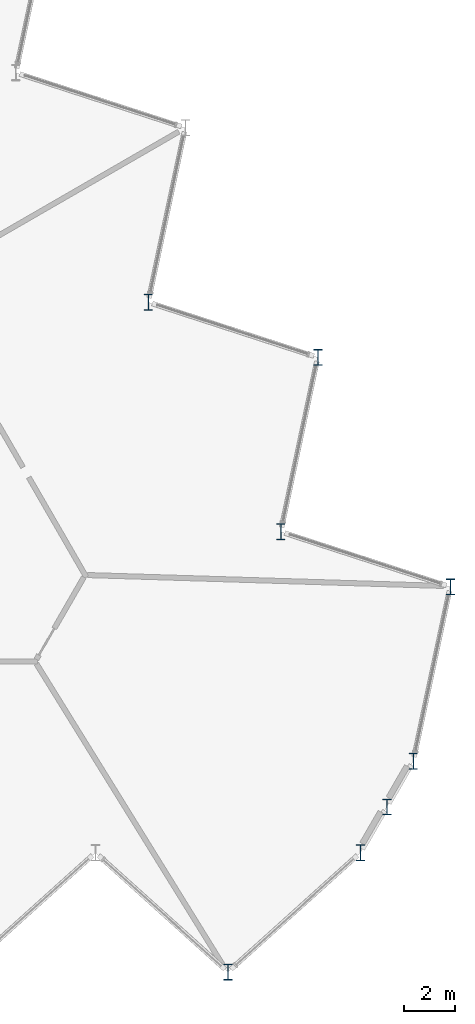
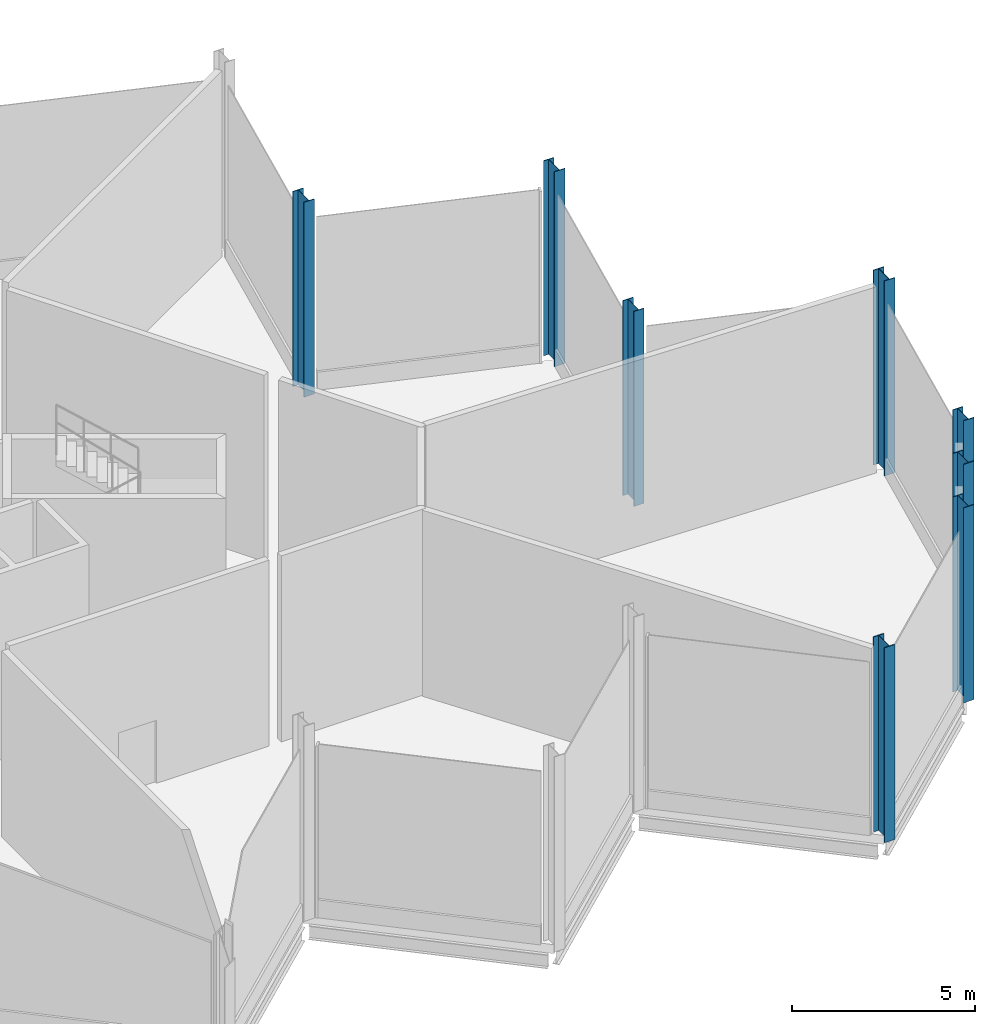
# One storey, part 2 of 12: 8 columns.
"""IFC4 building model written with IfcOpenShell, lengths in metres."""

from ifc_helpers import new_model, si_unit, direction, frame, origin, origin_2d, place, context, subcontext, project, spatial, i_section, extrude, material, material_profile, profile_set, type_object, element, save


model = new_model("IFC4")

# Units and contexts
model_context = context("Model", 3, precision=1e-05, world=origin(), true_north=direction((0.0, 1.0)))
body_context = subcontext(model_context, "Body", "Model", "MODEL_VIEW")
ifc_project = project(units=[si_unit("LENGTHUNIT", "METRE"), si_unit("AREAUNIT", "SQUARE_METRE"), si_unit("VOLUMEUNIT", "CUBIC_METRE"), si_unit("PLANEANGLEUNIT", "RADIAN"), si_unit("MASSUNIT", "GRAM", prefix="KILO")], contexts=[model_context])

# Site, building, storey
site_placement = place(None, origin())
site = spatial("IfcSite", under=ifc_project, at=site_placement, CompositionType="ELEMENT")
building_placement = place(site_placement, origin())
building = spatial("IfcBuilding", under=site, at=building_placement, Name="Cormorant Prow Tower", CompositionType="ELEMENT")
storey_placement = place(building_placement, frame((0.0, 0.0, 428.199951171875)))
storey = spatial("IfcBuildingStorey", under=building, at=storey_placement, Name="L96", CompositionType="ELEMENT", Elevation=428.199951171875)

# Columns
ifc_material = material(Name="Structural steel ASTM A992 Gr 50", Category="steel")
ifc_material_profile = material_profile(ifc_material, i_section(OverallWidth=0.326416015625, OverallDepth=0.621826171875, WebThickness=0.015380859375, FlangeThickness=0.0244140625, at=origin_2d()), Name="W24x131")
ifc_profile_set = profile_set([ifc_material_profile], Name="Structural steel ASTM A992 Gr 50")
column_type = type_object("IfcColumnType", Name="Crown frame column W24x131", PredefinedType="COLUMN", material=ifc_profile_set)
for number, where, z_axis, x_axis, name in (
    (1, (20.800048828125, -22.087890625, 0.0), (0.0, 0.0, 1.0), (1.0, 0.0, 0.0), "Crown frame column at S09 L96"),
    (2, (26.0, -17.40576171875, 0.0), (0.0, 0.0, 1.0), (1.0, 0.0, 0.0), "Crown frame column at ESE00 L96"),
    (3, (27.036865234375, -15.60986328125, 0.0), (0.0, 0.0, 1.0), (1.0, 0.0, 0.0), "Crown frame column at ESE01 L96"),
    (4, (28.07373046875, -13.813720703125, 0.0), (0.0, 0.0, 1.0), (1.0, 0.0, 0.0), "Crown frame column at ENE00 L96"),
    (5, (29.528564453125, -6.969482421875, 0.0), (0.0, 0.0, 1.0), (1.0, 0.0, 0.0), "Crown frame column at ENE01 L96"),
    (6, (22.873779296875, -4.80712890625, 0.0), (0.0, 0.0, 1.0), (1.0, 0.0, 0.0), "Crown frame column at ENE02 L96"),
    (7, (24.32861328125, 2.037353515625, 0.0), (0.0, 0.0, 1.0), (1.0, 0.0, 0.0), "Crown frame column at ENE03 L96"),
    (8, (17.673828125, 4.199462890625, 0.0), (0.0, 0.0, 1.0), (1.0, 0.0, 0.0), "Crown frame column at ENE04 L96"),
):
    element("IfcColumn", number, at=place(storey_placement, frame(where, z_axis=z_axis, x_axis=x_axis)), inside=storey, type_object=column_type, Name=name, PredefinedType="COLUMN", context=body_context, shape_type="SweptSolid", body=[
        extrude(i_section(OverallWidth=0.326416015625, OverallDepth=0.621826171875, WebThickness=0.015380859375, FlangeThickness=0.0244140625, at=origin_2d()), origin(), (0.0, 0.0, 1.0), 6.5),
    ])

save(model, "model.ifc")
